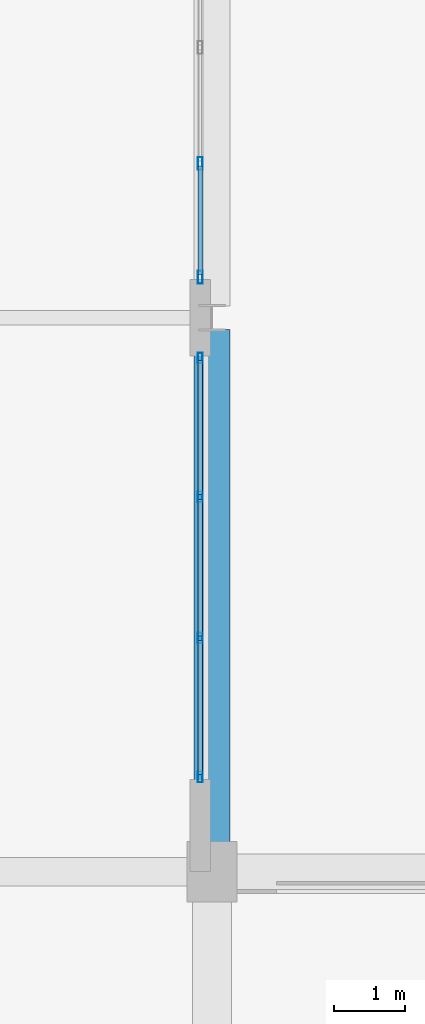
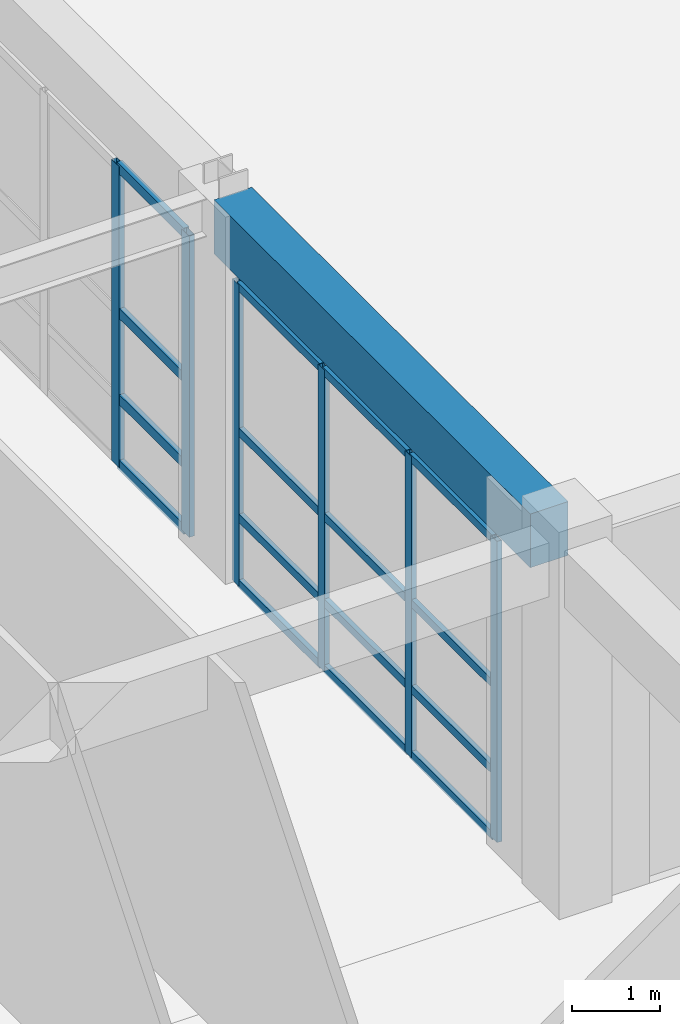
# One storey, part 19 of 148: 22 members, 1 beam, 2 elements without a shape of their own.
"""IFC4 building model written with IfcOpenShell, lengths in metres."""

from ifc_helpers import new_model, si_unit, direction, frame, origin, origin_2d, place, context, subcontext, project, spatial, rectangle, hollow_rectangle, extrude, material, layer, layer_set, material_profile, profile_set, type_object, element, aggregate, save


model = new_model("IFC4")

# Units and contexts
model_context = context("Model", 3, precision=1e-05, world=origin(), true_north=direction((0.0, 1.0)))
body_context = subcontext(model_context, "Body", "Model", "MODEL_VIEW")
ifc_project = project(units=[si_unit("LENGTHUNIT", "METRE"), si_unit("AREAUNIT", "SQUARE_METRE"), si_unit("VOLUMEUNIT", "CUBIC_METRE"), si_unit("PLANEANGLEUNIT", "RADIAN"), si_unit("MASSUNIT", "GRAM", prefix="KILO")], contexts=[model_context])

# Site, building, storey
site_placement = place(None, origin())
site = spatial("IfcSite", under=ifc_project, at=site_placement, CompositionType="ELEMENT")
building_placement = place(site_placement, origin())
building = spatial("IfcBuilding", under=site, at=building_placement, Name="Quendrovan Civic Courthouse", CompositionType="ELEMENT")
storey_placement = place(building_placement, origin())
storey = spatial("IfcBuildingStorey", under=building, at=storey_placement, Name="L01", CompositionType="ELEMENT", Elevation=0.0)

# Beam
ifc_material_1 = material(Name="Concrete C40/50", Category="concrete")
ifc_material_profile_1 = material_profile(ifc_material_1, rectangle(XDim=0.5, YDim=0.75, at=origin_2d()), Name="RC-BM-500x750")
ifc_profile_set_1 = profile_set([ifc_material_profile_1], Name="Concrete C40/50")
beam_type = type_object("IfcBeamType", Name="BM-RC750", PredefinedType="SPANDREL", material=ifc_profile_set_1)
beam_placement = place(storey_placement, frame((16.800048828125, 16.0048828125, 4.7451171875), z_axis=(0.0, 1.0, 0.0), x_axis=(-1.0, 0.0, 0.0)))
element("IfcBeam", 1, at=beam_placement, inside=storey, type_object=beam_type, Name="L01 Girder Y0389", PredefinedType="SPANDREL", context=body_context, shape_type="SweptSolid", body=[
    extrude(rectangle(XDim=0.5, YDim=0.75, at=origin_2d()), origin(), (0.0, 0.0, 1.0), 7.22900390625),
])

# Curtain wall, members
ifc_material_2 = material(Name="Bronze anodised aluminium and low-E glass", Category="aluminium")
ifc_layer_1 = layer(ifc_material_2, 0.179931640625, Name="Bronze anodised aluminium and low-E glass")
ifc_layer_set_1 = layer_set([ifc_layer_1], Name="Bronze anodised aluminium and low-E glass")
curtain_wall_type_1 = type_object("IfcCurtainWallType", Name="CW-U65x42", PredefinedType="USERDEFINED", material=ifc_layer_set_1)
curtain_wall_1_placement = place(storey_placement, origin())
curtain_wall_1 = element("IfcCurtainWall", 2, at=curtain_wall_1_placement, inside=storey, type_object=curtain_wall_type_1, Name="L01 Unitised Hurricane Curtain Wall CW-002", ObjectType="UNITISED CURTAIN WALL", PredefinedType="USERDEFINED")
ifc_material_3 = material(Name="Bronze anodised aluminium", Category="aluminium")
ifc_material_profile_2 = material_profile(ifc_material_3, hollow_rectangle(XDim=0.070068359375, YDim=0.179931640625, WallThickness=0.00390625, at=origin_2d()), Name="CW-MULL-70x180")
ifc_profile_set_2 = profile_set([ifc_material_profile_2], Name="Bronze anodised aluminium")
member_type_1 = type_object("IfcMemberType", Name="CW-MULL-A", PredefinedType="MULLION", material=ifc_profile_set_2)
member_1_placement = place(storey_placement, frame((16.635009765625, 25.571533203125, 0.0), z_axis=(0.0, 0.0, 1.0), x_axis=(1.0, 0.0, 0.0)))
member_1 = element("IfcMember", 3, at=member_1_placement, type_object=member_type_1, Name="CW-002 mullion 4", PredefinedType="MULLION", context=body_context, shape_type="SweptSolid", body=[
    extrude(hollow_rectangle(XDim=0.070068359375, YDim=0.179931640625, WallThickness=0.00390625, at=origin_2d()), origin(), (0.0, 0.0, 1.0), 4.199951171875),
])
member_2_placement = place(storey_placement, frame((16.635009765625, 23.971923828125, 0.0), z_axis=(0.0, 0.0, 1.0), x_axis=(1.0, 0.0, 0.0)))
member_2 = element("IfcMember", 4, at=member_2_placement, type_object=member_type_1, Name="CW-002 mullion 5", PredefinedType="MULLION", context=body_context, shape_type="SweptSolid", body=[
    extrude(hollow_rectangle(XDim=0.070068359375, YDim=0.179931640625, WallThickness=0.00390625, at=origin_2d()), origin(), (0.0, 0.0, 1.0), 4.199951171875),
])

ifc_layer_2 = layer(ifc_material_2, 0.179931640625, Name="Bronze anodised aluminium and low-E glass")
ifc_layer_set_2 = layer_set([ifc_layer_2], Name="Bronze anodised aluminium and low-E glass")
curtain_wall_type_2 = type_object("IfcCurtainWallType", Name="CW-U60x42", PredefinedType="USERDEFINED", material=ifc_layer_set_2)
curtain_wall_2_placement = place(storey_placement, origin())
curtain_wall_2 = element("IfcCurtainWall", 5, at=curtain_wall_2_placement, inside=storey, type_object=curtain_wall_type_2, Name="L01 Unitised Hurricane Curtain Wall CW-003", ObjectType="UNITISED CURTAIN WALL", PredefinedType="USERDEFINED")
ifc_material_profile_3 = material_profile(ifc_material_3, hollow_rectangle(XDim=0.06494140625, YDim=0.14990234375, WallThickness=0.00390625, at=origin_2d()), Name="CW-MULL-65x150")
ifc_profile_set_3 = profile_set([ifc_material_profile_3], Name="Bronze anodised aluminium")
member_type_2 = type_object("IfcMemberType", Name="CW-MULL-B", PredefinedType="MULLION", material=ifc_profile_set_3)
member_3_placement = place(storey_placement, frame((16.635009765625, 22.83056640625, 0.0), z_axis=(0.0, 0.0, 1.0), x_axis=(1.0, 0.0, 0.0)))
member_3 = element("IfcMember", 6, at=member_3_placement, type_object=member_type_2, Name="CW-003 mullion 1", PredefinedType="MULLION", context=body_context, shape_type="SweptSolid", body=[
    extrude(hollow_rectangle(XDim=0.06494140625, YDim=0.14990234375, WallThickness=0.00390625, at=origin_2d()), origin(), (0.0, 0.0, 1.0), 4.199951171875),
])
member_4_placement = place(storey_placement, frame((16.635009765625, 20.875244140625, 0.0), z_axis=(0.0, 0.0, 1.0), x_axis=(1.0, 0.0, 0.0)))
member_4 = element("IfcMember", 7, at=member_4_placement, type_object=member_type_2, Name="CW-003 mullion 2", PredefinedType="MULLION", context=body_context, shape_type="SweptSolid", body=[
    extrude(hollow_rectangle(XDim=0.06494140625, YDim=0.14990234375, WallThickness=0.00390625, at=origin_2d()), origin(), (0.0, 0.0, 1.0), 4.199951171875),
])
member_5_placement = place(storey_placement, frame((16.635009765625, 18.8876953125, 0.0), z_axis=(0.0, 0.0, 1.0), x_axis=(1.0, 0.0, 0.0)))
member_5 = element("IfcMember", 8, at=member_5_placement, type_object=member_type_2, Name="CW-003 mullion 3", PredefinedType="MULLION", context=body_context, shape_type="SweptSolid", body=[
    extrude(hollow_rectangle(XDim=0.06494140625, YDim=0.14990234375, WallThickness=0.00390625, at=origin_2d()), origin(), (0.0, 0.0, 1.0), 4.199951171875),
])
member_6_placement = place(storey_placement, frame((16.635009765625, 16.9326171875, 0.0), z_axis=(0.0, 0.0, 1.0), x_axis=(1.0, 0.0, 0.0)))
member_6 = element("IfcMember", 9, at=member_6_placement, type_object=member_type_2, Name="CW-003 mullion 4", PredefinedType="MULLION", context=body_context, shape_type="SweptSolid", body=[
    extrude(hollow_rectangle(XDim=0.06494140625, YDim=0.14990234375, WallThickness=0.00390625, at=origin_2d()), origin(), (0.0, 0.0, 1.0), 4.199951171875),
])

# Member
ifc_material_profile_4 = material_profile(ifc_material_3, hollow_rectangle(XDim=0.070068359375, YDim=0.139892578125, WallThickness=0.00390625, at=origin_2d()), Name="CW-TRAN-70x140")
ifc_profile_set_4 = profile_set([ifc_material_profile_4], Name="Bronze anodised aluminium")
member_type_3 = type_object("IfcMemberType", Name="CW-TRAN-A", PredefinedType="USERDEFINED", material=ifc_profile_set_4)
member_7_placement = place(storey_placement, frame((16.635009765625, 25.53662109375, 0.034912109375), z_axis=(0.0, -1.0, 0.0), x_axis=(1.0, 0.0, 0.0)))
member_7 = element("IfcMember", 10, at=member_7_placement, type_object=member_type_3, Name="CW-002 transom 4.1", ObjectType="TRANSOM", PredefinedType="USERDEFINED", context=body_context, shape_type="SweptSolid", body=[
    extrude(hollow_rectangle(XDim=0.070068359375, YDim=0.139892578125, WallThickness=0.00390625, at=origin_2d()), origin(), (0.0, 0.0, 1.0), 1.529541015625),
])

member_8_placement = place(storey_placement, frame((16.635009765625, 25.53662109375, 0.949951171875), z_axis=(0.0, -1.0, 0.0), x_axis=(1.0, 0.0, 0.0)))
member_8 = element("IfcMember", 11, at=member_8_placement, type_object=member_type_3, Name="CW-002 transom 4.2", ObjectType="TRANSOM", PredefinedType="USERDEFINED", context=body_context, shape_type="SweptSolid", body=[
    extrude(hollow_rectangle(XDim=0.070068359375, YDim=0.139892578125, WallThickness=0.00390625, at=origin_2d()), origin(), (0.0, 0.0, 1.0), 1.529541015625),
])

member_9_placement = place(storey_placement, frame((16.635009765625, 25.53662109375, 2.14990234375), z_axis=(0.0, -1.0, 0.0), x_axis=(1.0, 0.0, 0.0)))
member_9 = element("IfcMember", 12, at=member_9_placement, type_object=member_type_3, Name="CW-002 transom 4.3", ObjectType="TRANSOM", PredefinedType="USERDEFINED", context=body_context, shape_type="SweptSolid", body=[
    extrude(hollow_rectangle(XDim=0.070068359375, YDim=0.139892578125, WallThickness=0.00390625, at=origin_2d()), origin(), (0.0, 0.0, 1.0), 1.529541015625),
])

member_10_placement = place(storey_placement, frame((16.635009765625, 25.53662109375, 4.1650390625), z_axis=(0.0, -1.0, 0.0), x_axis=(1.0, 0.0, 0.0)))
member_10 = element("IfcMember", 13, at=member_10_placement, type_object=member_type_3, Name="CW-002 transom 4.4", ObjectType="TRANSOM", PredefinedType="USERDEFINED", context=body_context, shape_type="SweptSolid", body=[
    extrude(hollow_rectangle(XDim=0.070068359375, YDim=0.139892578125, WallThickness=0.00390625, at=origin_2d()), origin(), (0.0, 0.0, 1.0), 1.529541015625),
])

aggregate(curtain_wall_1, [member_1, member_2, member_7, member_8, member_9, member_10])

ifc_material_profile_5 = material_profile(ifc_material_3, hollow_rectangle(XDim=0.06494140625, YDim=0.114990234375, WallThickness=0.00390625, at=origin_2d()), Name="CW-TRAN-65x115")
ifc_profile_set_5 = profile_set([ifc_material_profile_5], Name="Bronze anodised aluminium")
member_type_4 = type_object("IfcMemberType", Name="CW-TRAN-B", PredefinedType="USERDEFINED", material=ifc_profile_set_5)
member_11_placement = place(storey_placement, frame((16.635009765625, 22.798095703125, 0.032470703125), z_axis=(0.0, -1.0, 0.0), x_axis=(1.0, 0.0, 0.0)))
member_11 = element("IfcMember", 14, at=member_11_placement, type_object=member_type_4, Name="CW-003 transom 1.1", ObjectType="TRANSOM", PredefinedType="USERDEFINED", context=body_context, shape_type="SweptSolid", body=[
    extrude(hollow_rectangle(XDim=0.06494140625, YDim=0.114990234375, WallThickness=0.00390625, at=origin_2d()), origin(), (0.0, 0.0, 1.0), 1.890380859375),
])

member_12_placement = place(storey_placement, frame((16.635009765625, 22.798095703125, 0.949951171875), z_axis=(0.0, -1.0, 0.0), x_axis=(1.0, 0.0, 0.0)))
member_12 = element("IfcMember", 15, at=member_12_placement, type_object=member_type_4, Name="CW-003 transom 1.2", ObjectType="TRANSOM", PredefinedType="USERDEFINED", context=body_context, shape_type="SweptSolid", body=[
    extrude(hollow_rectangle(XDim=0.06494140625, YDim=0.114990234375, WallThickness=0.00390625, at=origin_2d()), origin(), (0.0, 0.0, 1.0), 1.890380859375),
])

member_13_placement = place(storey_placement, frame((16.635009765625, 22.798095703125, 2.14990234375), z_axis=(0.0, -1.0, 0.0), x_axis=(1.0, 0.0, 0.0)))
member_13 = element("IfcMember", 16, at=member_13_placement, type_object=member_type_4, Name="CW-003 transom 1.3", ObjectType="TRANSOM", PredefinedType="USERDEFINED", context=body_context, shape_type="SweptSolid", body=[
    extrude(hollow_rectangle(XDim=0.06494140625, YDim=0.114990234375, WallThickness=0.00390625, at=origin_2d()), origin(), (0.0, 0.0, 1.0), 1.890380859375),
])

member_14_placement = place(storey_placement, frame((16.635009765625, 22.798095703125, 4.16748046875), z_axis=(0.0, -1.0, 0.0), x_axis=(1.0, 0.0, 0.0)))
member_14 = element("IfcMember", 17, at=member_14_placement, type_object=member_type_4, Name="CW-003 transom 1.4", ObjectType="TRANSOM", PredefinedType="USERDEFINED", context=body_context, shape_type="SweptSolid", body=[
    extrude(hollow_rectangle(XDim=0.06494140625, YDim=0.114990234375, WallThickness=0.00390625, at=origin_2d()), origin(), (0.0, 0.0, 1.0), 1.890380859375),
])

member_15_placement = place(storey_placement, frame((16.635009765625, 20.8427734375, 0.032470703125), z_axis=(0.0, -1.0, 0.0), x_axis=(1.0, 0.0, 0.0)))
member_15 = element("IfcMember", 18, at=member_15_placement, type_object=member_type_4, Name="CW-003 transom 2.1", ObjectType="TRANSOM", PredefinedType="USERDEFINED", context=body_context, shape_type="SweptSolid", body=[
    extrude(hollow_rectangle(XDim=0.06494140625, YDim=0.114990234375, WallThickness=0.00390625, at=origin_2d()), origin(), (0.0, 0.0, 1.0), 1.922607421875),
])

member_16_placement = place(storey_placement, frame((16.635009765625, 20.8427734375, 0.949951171875), z_axis=(0.0, -1.0, 0.0), x_axis=(1.0, 0.0, 0.0)))
member_16 = element("IfcMember", 19, at=member_16_placement, type_object=member_type_4, Name="CW-003 transom 2.2", ObjectType="TRANSOM", PredefinedType="USERDEFINED", context=body_context, shape_type="SweptSolid", body=[
    extrude(hollow_rectangle(XDim=0.06494140625, YDim=0.114990234375, WallThickness=0.00390625, at=origin_2d()), origin(), (0.0, 0.0, 1.0), 1.922607421875),
])

member_17_placement = place(storey_placement, frame((16.635009765625, 20.8427734375, 2.14990234375), z_axis=(0.0, -1.0, 0.0), x_axis=(1.0, 0.0, 0.0)))
member_17 = element("IfcMember", 20, at=member_17_placement, type_object=member_type_4, Name="CW-003 transom 2.3", ObjectType="TRANSOM", PredefinedType="USERDEFINED", context=body_context, shape_type="SweptSolid", body=[
    extrude(hollow_rectangle(XDim=0.06494140625, YDim=0.114990234375, WallThickness=0.00390625, at=origin_2d()), origin(), (0.0, 0.0, 1.0), 1.922607421875),
])

member_18_placement = place(storey_placement, frame((16.635009765625, 20.8427734375, 4.16748046875), z_axis=(0.0, -1.0, 0.0), x_axis=(1.0, 0.0, 0.0)))
member_18 = element("IfcMember", 21, at=member_18_placement, type_object=member_type_4, Name="CW-003 transom 2.4", ObjectType="TRANSOM", PredefinedType="USERDEFINED", context=body_context, shape_type="SweptSolid", body=[
    extrude(hollow_rectangle(XDim=0.06494140625, YDim=0.114990234375, WallThickness=0.00390625, at=origin_2d()), origin(), (0.0, 0.0, 1.0), 1.922607421875),
])

member_19_placement = place(storey_placement, frame((16.635009765625, 18.855224609375, 0.032470703125), z_axis=(0.0, -1.0, 0.0), x_axis=(1.0, 0.0, 0.0)))
member_19 = element("IfcMember", 22, at=member_19_placement, type_object=member_type_4, Name="CW-003 transom 3.1", ObjectType="TRANSOM", PredefinedType="USERDEFINED", context=body_context, shape_type="SweptSolid", body=[
    extrude(hollow_rectangle(XDim=0.06494140625, YDim=0.114990234375, WallThickness=0.00390625, at=origin_2d()), origin(), (0.0, 0.0, 1.0), 1.89013671875),
])

member_20_placement = place(storey_placement, frame((16.635009765625, 18.855224609375, 0.949951171875), z_axis=(0.0, -1.0, 0.0), x_axis=(1.0, 0.0, 0.0)))
member_20 = element("IfcMember", 23, at=member_20_placement, type_object=member_type_4, Name="CW-003 transom 3.2", ObjectType="TRANSOM", PredefinedType="USERDEFINED", context=body_context, shape_type="SweptSolid", body=[
    extrude(hollow_rectangle(XDim=0.06494140625, YDim=0.114990234375, WallThickness=0.00390625, at=origin_2d()), origin(), (0.0, 0.0, 1.0), 1.89013671875),
])

member_21_placement = place(storey_placement, frame((16.635009765625, 18.855224609375, 2.14990234375), z_axis=(0.0, -1.0, 0.0), x_axis=(1.0, 0.0, 0.0)))
member_21 = element("IfcMember", 24, at=member_21_placement, type_object=member_type_4, Name="CW-003 transom 3.3", ObjectType="TRANSOM", PredefinedType="USERDEFINED", context=body_context, shape_type="SweptSolid", body=[
    extrude(hollow_rectangle(XDim=0.06494140625, YDim=0.114990234375, WallThickness=0.00390625, at=origin_2d()), origin(), (0.0, 0.0, 1.0), 1.89013671875),
])

member_22_placement = place(storey_placement, frame((16.635009765625, 18.855224609375, 4.16748046875), z_axis=(0.0, -1.0, 0.0), x_axis=(1.0, 0.0, 0.0)))
member_22 = element("IfcMember", 25, at=member_22_placement, type_object=member_type_4, Name="CW-003 transom 3.4", ObjectType="TRANSOM", PredefinedType="USERDEFINED", context=body_context, shape_type="SweptSolid", body=[
    extrude(hollow_rectangle(XDim=0.06494140625, YDim=0.114990234375, WallThickness=0.00390625, at=origin_2d()), origin(), (0.0, 0.0, 1.0), 1.89013671875),
])

aggregate(curtain_wall_2, [member_3, member_4, member_5, member_6, member_11, member_12, member_13, member_14, member_15, member_16, member_17, member_18, member_19, member_20, member_21, member_22])

save(model, "model.ifc")
